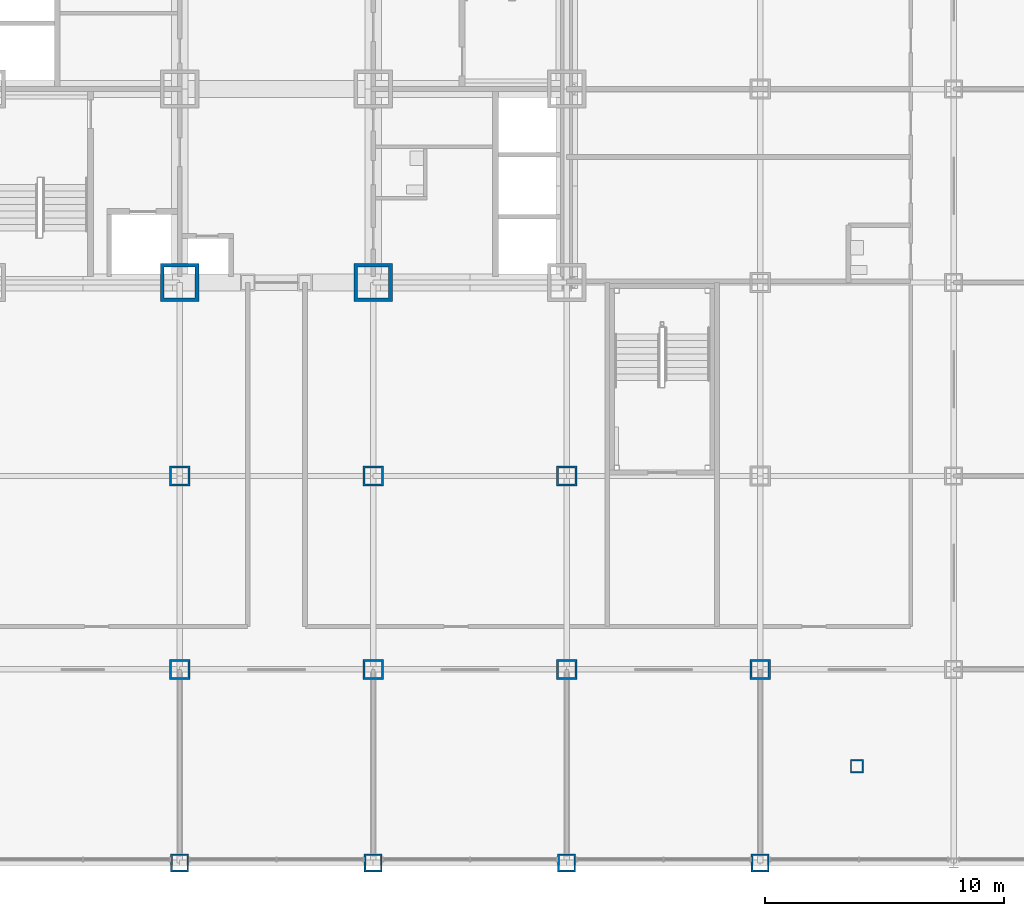
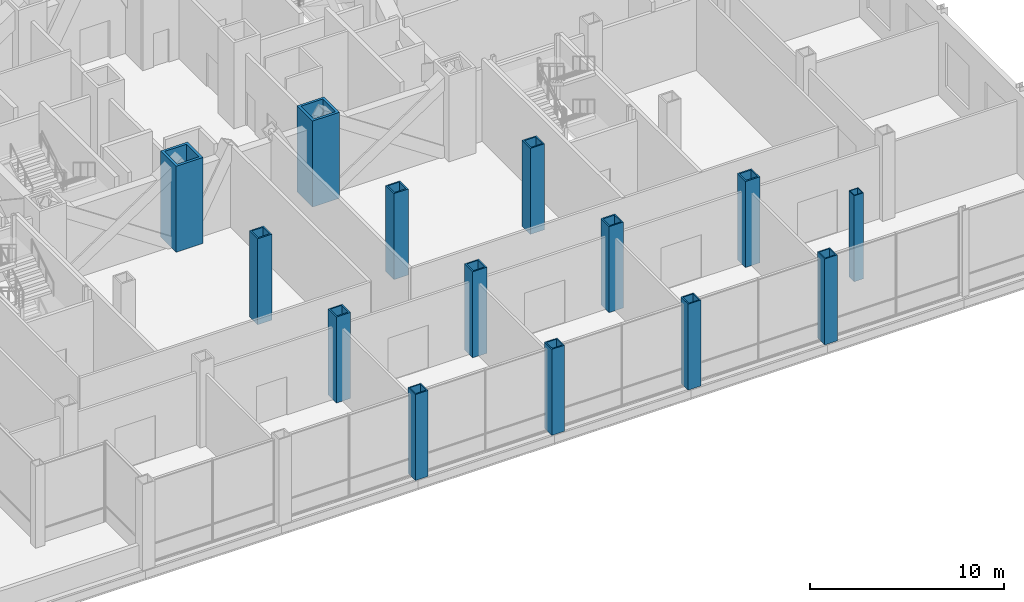
# One storey, part 3 of 26: 14 columns.
"""IFC4 building model written with IfcOpenShell, lengths in metres."""

import ifcopenshell
import ifcopenshell.guid

model = None  # the IFC model being written
_history = None  # IfcOwnerHistory: only IFC2X3 demands one
_inside = {}  # id of a spatial element -> (the spatial element, [elements in it])
_under = {}  # id of a project, library or spatial element -> (it, [spatial elements below it])
_declared = {}  # id of a project -> (the project, [libraries it declares])
_typed = {}  # id of a type object -> (the type object, [elements of that type])
_made_of = {}  # id of a material, layer set ... -> (it, [elements and type objects made of it])


def new_model(schema):
    """Start an empty IFC model of exactly this schema.

    Asked for "IFC4X3", IfcOpenShell would pick the latest addendum, in which some entities
    have other attributes; the version numbers below select the first issue.
    IFC2X3 requires an IfcOwnerHistory on every rooted entity: one is made here for all.
    """
    global model, _history
    if schema == "IFC4X3":
        model = ifcopenshell.file(schema_version=(4, 3, 0, 0))
    else:
        model = ifcopenshell.file(schema=schema)
    _inside.clear()
    _under.clear()
    _declared.clear()
    _typed.clear()
    _made_of.clear()
    _history = None
    if model.schema == "IFC2X3":
        org = make("IfcOrganization", Name="unknown")
        user = make(
            "IfcPersonAndOrganization",
            ThePerson=make("IfcPerson", FamilyName="unknown"),
            TheOrganization=org,
        )
        app = make(
            "IfcApplication",
            ApplicationDeveloper=org,
            Version="unknown",
            ApplicationFullName="unknown",
            ApplicationIdentifier="unknown",
        )
        _history = make(
            "IfcOwnerHistory",
            OwningUser=user,
            OwningApplication=app,
            ChangeAction="ADDED",
            CreationDate=0,
        )
    return model


def make(cls, **values):
    """One entity of the class cls with the attributes given. An attribute that is None is left unset."""
    return model.create_entity(
        cls, **{name: value for name, value in values.items() if value is not None}
    )


def rooted(cls, **values):
    """An entity with a GlobalId (a new one), such as an element, a storey or a relation."""
    return make(cls, GlobalId=ifcopenshell.guid.new(), OwnerHistory=_history, **values)


def si_unit(unit_type, name, prefix=None):
    """IfcSIUnit, for example si_unit("LENGTHUNIT", "METRE", prefix="MILLI")."""
    return make("IfcSIUnit", UnitType=unit_type, Prefix=prefix, Name=name)


def assignment(units):
    """IfcUnitAssignment: the units of a project."""
    return None if units is None else make("IfcUnitAssignment", Units=units)


def point(xyz):
    """IfcCartesianPoint."""
    return None if xyz is None else make("IfcCartesianPoint", Coordinates=xyz)


def direction(xyz):
    """IfcDirection."""
    return None if xyz is None else make("IfcDirection", DirectionRatios=xyz)


def frame(location, z_axis=None, x_axis=None):
    """IfcAxis2Placement3D, a coordinate frame: its origin and axes. An axis left out is left unset."""
    return make(
        "IfcAxis2Placement3D",
        Location=point(location),
        Axis=direction(z_axis),
        RefDirection=direction(x_axis),
    )


def frame_2d(location, x_axis=None):
    """IfcAxis2Placement2D, a coordinate frame in the plane: its origin and x axis."""
    return make(
        "IfcAxis2Placement2D", Location=point(location), RefDirection=direction(x_axis)
    )


def origin():
    """The frame at (0, 0, 0) with its axes left unset."""
    return frame((0.0, 0.0, 0.0))


def origin_2d():
    """The frame at (0, 0) in the plane with its x axis left unset."""
    return frame_2d((0.0, 0.0))


def place(relative_to, where):
    """IfcLocalPlacement: puts the frame where relative to a parent placement (None: the world)."""
    return make(
        "IfcLocalPlacement", PlacementRelTo=relative_to, RelativePlacement=where
    )


def context(
    kind, dimensions, precision=None, world=None, true_north=None, identifier=None
):
    """IfcGeometricRepresentationContext, for example the 3D "Model" context."""
    return make(
        "IfcGeometricRepresentationContext",
        ContextIdentifier=identifier,
        ContextType=kind,
        CoordinateSpaceDimension=dimensions,
        Precision=precision,
        WorldCoordinateSystem=world,
        TrueNorth=true_north,
    )


def subcontext(parent, identifier, kind, view, scale=None):
    """IfcGeometricRepresentationSubContext, for example "Body" below "Model"."""
    return make(
        "IfcGeometricRepresentationSubContext",
        ContextIdentifier=identifier,
        ContextType=kind,
        ParentContext=parent,
        TargetScale=scale,
        TargetView=view,
    )


def project(units=None, contexts=None):
    """IfcProject with its units and contexts."""
    return rooted(
        "IfcProject",
        Name="project",
        RepresentationContexts=contexts,
        UnitsInContext=assignment(units),
    )


def spatial(cls, under=None, at=None, **own):
    """A site, building, storey or space (cls), placed at a placement, below another one or the project."""
    s = rooted(cls, ObjectPlacement=at, **own)
    if under is not None:
        _under.setdefault(under.id(), (under, []))[1].append(s)
    return s


def profile(cls, at=None, kind="AREA", **sizes):
    """A parametric profile (cls). Its sizes go by their IFC names, for example OverallWidth=200.0."""
    return make(cls, ProfileType=kind, Position=at, **sizes)


def hollow_rectangle(**sizes):
    """IfcRectangleHollowProfileDef."""
    return profile("IfcRectangleHollowProfileDef", **sizes)


def extrude(swept, where, along, depth):
    """IfcExtrudedAreaSolid: the profile swept, set in the frame where, extruded along a direction by depth."""
    return make(
        "IfcExtrudedAreaSolid",
        SweptArea=swept,
        Position=where,
        ExtrudedDirection=direction(along),
        Depth=depth,
    )


def shape(context_of_items, identifier, shape_type, items):
    """IfcShapeRepresentation: the items that make up one representation, for example the "Body"."""
    return make(
        "IfcShapeRepresentation",
        ContextOfItems=context_of_items,
        RepresentationIdentifier=identifier,
        RepresentationType=shape_type,
        Items=items,
    )


def material(Name=None, Category=None):
    """IfcMaterial."""
    return make("IfcMaterial", Name=Name, Category=Category)


def material_profile(
    of_material, cross_section, Name=None, Category=None, Priority=None
):
    """IfcMaterialProfile: a cross section and its material."""
    return make(
        "IfcMaterialProfile",
        Name=Name,
        Material=of_material,
        Profile=cross_section,
        Priority=Priority,
        Category=Category,
    )


def profile_set(profiles, Name=None, composite=None):
    """IfcMaterialProfileSet."""
    return make(
        "IfcMaterialProfileSet",
        Name=Name,
        MaterialProfiles=profiles,
        CompositeProfile=composite,
    )


def made_of(thing, what):
    """Note that an element or type object is made of a material, layer set ...; save() writes the relation."""
    if what is not None:
        _made_of.setdefault(what.id(), (what, []))[1].append(thing)
    return thing


def type_object(cls, material=None, **own):
    """A type object (cls), such as IfcWallType, which elements share."""
    return made_of(rooted(cls, **own), material)


def element(
    cls,
    number,
    at=None,
    inside=None,
    cuts=None,
    type_object=None,
    material=None,
    context=None,
    identifier="Body",
    shape_type=None,
    held_by="IfcProductDefinitionShape",
    body=None,
    shapes=None,
    **own,
):
    """One element of the class cls, such as IfcWall. Its Tag is "e" and its number.

    at: its placement. inside: the storey or other place that contains it. cuts: it is an
    opening in that element (IfcRelVoidsElement). A single representation is given by context,
    identifier, shape_type and body (its items); several are given by shapes. held_by: the class
    of the entity that holds the representations. save() writes the other relations.
    """
    e = rooted(cls, Tag="e%d" % number, ObjectPlacement=at, **own)
    if body is not None:
        shapes = [shape(context, identifier, shape_type, body)]
    if shapes is not None:
        e.Representation = make(held_by, Representations=shapes)
    if inside is not None:
        _inside.setdefault(inside.id(), (inside, []))[1].append(e)
    if cuts is not None:
        rooted(
            "IfcRelVoidsElement", RelatingBuildingElement=cuts, RelatedOpeningElement=e
        )
    if type_object is not None:
        _typed.setdefault(type_object.id(), (type_object, []))[1].append(e)
    return made_of(e, material)


def aggregate(whole, parts):
    """IfcRelAggregates: a whole, such as a stair, and the parts it consists of."""
    return rooted("IfcRelAggregates", RelatingObject=whole, RelatedObjects=parts)


def save(model, path):
    """Write the relations noted so far, then the file.

    IfcRelAggregates (storeys below a building ...), IfcRelContainedInSpatialStructure (elements
    in a storey), IfcRelDefinesByType, IfcRelAssociatesMaterial and IfcRelDeclares: one each for
    every whole, place, type object, material and project.
    """
    for whole, parts in _under.values():
        aggregate(whole, parts)
    for where, things in _inside.values():
        rooted(
            "IfcRelContainedInSpatialStructure",
            RelatedElements=things,
            RelatingStructure=where,
        )
    for kind, things in _typed.values():
        rooted("IfcRelDefinesByType", RelatedObjects=things, RelatingType=kind)
    for what, things in _made_of.values():
        rooted("IfcRelAssociatesMaterial", RelatedObjects=things, RelatingMaterial=what)
    for by, libraries in _declared.values():
        rooted("IfcRelDeclares", RelatingContext=by, RelatedDefinitions=libraries)
    model.write(path)


model = new_model("IFC4")

# Units and contexts
model_context = context("Model", 3, precision=1e-05, world=origin(), true_north=direction((0.0, 1.0)))
body_context = subcontext(model_context, "Body", "Model", "MODEL_VIEW")
ifc_project = project(units=[si_unit("LENGTHUNIT", "METRE"), si_unit("AREAUNIT", "SQUARE_METRE"), si_unit("VOLUMEUNIT", "CUBIC_METRE"), si_unit("PLANEANGLEUNIT", "RADIAN"), si_unit("MASSUNIT", "GRAM", prefix="KILO")], contexts=[model_context])

# Site, building, storey
site_placement = place(None, origin())
site = spatial("IfcSite", under=ifc_project, at=site_placement, CompositionType="ELEMENT")
building_placement = place(site_placement, origin())
building = spatial("IfcBuilding", under=site, at=building_placement, Name="Kopane Lantern Tower", CompositionType="ELEMENT")
storey_placement = place(building_placement, frame((0.0, 0.0, 16.800048828125)))
storey = spatial("IfcBuildingStorey", under=building, at=storey_placement, Name="L03", CompositionType="ELEMENT", Elevation=16.800048828125)

# Columns
ifc_material_1 = material(Name="Steel S355JR", Category="steel")
ifc_material_profile_1 = material_profile(ifc_material_1, hollow_rectangle(XDim=1.60009765625, YDim=1.60009765625, WallThickness=0.14990234375, at=origin_2d()), Name="BOX 1600x1600x150")
ifc_profile_set_1 = profile_set([ifc_material_profile_1], Name="Steel S355JR")
column_type_1 = type_object("IfcColumnType", Name="COLUMN BOX 1600x1600x150", PredefinedType="COLUMN", material=ifc_profile_set_1)
for number, where, z_axis, x_axis, name in (
    (1, (24.300048828125, 24.300048828125, 0.0), (0.0, 0.0, 1.0), (1.0, 0.0, 0.0), "Column 5/E L03"),
    (2, (32.39990234375, 24.300048828125, 0.0), (0.0, 0.0, 1.0), (1.0, 0.0, 0.0), "Column 6/E L03"),
):
    element("IfcColumn", number, at=place(storey_placement, frame(where, z_axis=z_axis, x_axis=x_axis)), inside=storey, type_object=column_type_1, Name=name, PredefinedType="COLUMN", context=body_context, shape_type="SweptSolid", body=[
        extrude(hollow_rectangle(XDim=1.60009765625, YDim=1.60009765625, WallThickness=0.14990234375, at=origin_2d()), origin(), (0.0, 0.0, 1.0), 5.39990234375),
    ])
ifc_material_2 = material(Name="Steel S355JR", Category="steel")
ifc_material_profile_2 = material_profile(ifc_material_2, hollow_rectangle(XDim=0.550048828125, YDim=0.550048828125, WallThickness=0.050048828125, at=origin_2d()), Name="BOX 550x550x50")
ifc_profile_set_2 = profile_set([ifc_material_profile_2], Name="Steel S355JR")
column_type_2 = type_object("IfcColumnType", Name="COLUMN BOX 550x550x50", PredefinedType="COLUMN", material=ifc_profile_set_2)
column_placement = place(storey_placement, frame((52.64990234375, 4.050048828125, 0.0), z_axis=(0.0, 0.0, 1.0), x_axis=(1.0, 0.0, 0.0)))
element("IfcColumn", 3, at=column_placement, inside=storey, type_object=column_type_2, Name="Column 52.65/4.05 L03", PredefinedType="COLUMN", context=body_context, shape_type="SweptSolid", body=[
    extrude(hollow_rectangle(XDim=0.550048828125, YDim=0.550048828125, WallThickness=0.050048828125, at=origin_2d()), origin(), (0.0, 0.0, 1.0), 5.39990234375),
])
ifc_material_3 = material(Name="Steel S355JR", Category="steel")
ifc_material_profile_3 = material_profile(ifc_material_3, hollow_rectangle(XDim=0.75, YDim=0.75, WallThickness=0.070068359375, at=origin_2d()), Name="BOX 750x750x70")
ifc_profile_set_3 = profile_set([ifc_material_profile_3], Name="Steel S355JR")
column_type_3 = type_object("IfcColumnType", Name="COLUMN BOX 750x750x70", PredefinedType="COLUMN", material=ifc_profile_set_3)
for number, where, z_axis, x_axis, name in (
    (4, (24.300048828125, 0.0, 0.0), (0.0, 0.0, 1.0), (1.0, 0.0, 0.0), "Column 5/B L03"),
    (5, (32.39990234375, 0.0, 0.0), (0.0, 0.0, 1.0), (1.0, 0.0, 0.0), "Column 6/B L03"),
    (6, (40.5, 0.0, 0.0), (0.0, 0.0, 1.0), (1.0, 0.0, 0.0), "Column 7/B L03"),
    (7, (48.60009765625, 0.0, 0.0), (0.0, 0.0, 1.0), (1.0, 0.0, 0.0), "Column 8/B L03"),
):
    element("IfcColumn", number, at=place(storey_placement, frame(where, z_axis=z_axis, x_axis=x_axis)), inside=storey, type_object=column_type_3, Name=name, PredefinedType="COLUMN", context=body_context, shape_type="SweptSolid", body=[
        extrude(hollow_rectangle(XDim=0.75, YDim=0.75, WallThickness=0.070068359375, at=origin_2d()), origin(), (0.0, 0.0, 1.0), 5.39990234375),
    ])
ifc_material_4 = material(Name="Steel S355JR", Category="steel")
ifc_material_profile_4 = material_profile(ifc_material_4, hollow_rectangle(XDim=0.85009765625, YDim=0.85009765625, WallThickness=0.0849609375, at=origin_2d()), Name="BOX 850x850x85")
ifc_profile_set_4 = profile_set([ifc_material_profile_4], Name="Steel S355JR")
column_type_4 = type_object("IfcColumnType", Name="COLUMN BOX 850x850x85", PredefinedType="COLUMN", material=ifc_profile_set_4)
for number, where, z_axis, x_axis, name in (
    (8, (24.300048828125, 8.10009765625, 0.0), (0.0, 0.0, 1.0), (1.0, 0.0, 0.0), "Column 5/C L03"),
    (9, (24.300048828125, 16.199951171875, 0.0), (0.0, 0.0, 1.0), (1.0, 0.0, 0.0), "Column 5/D L03"),
    (10, (32.39990234375, 8.10009765625, 0.0), (0.0, 0.0, 1.0), (1.0, 0.0, 0.0), "Column 6/C L03"),
    (11, (32.39990234375, 16.199951171875, 0.0), (0.0, 0.0, 1.0), (1.0, 0.0, 0.0), "Column 6/D L03"),
    (12, (40.5, 8.10009765625, 0.0), (0.0, 0.0, 1.0), (1.0, 0.0, 0.0), "Column 7/C L03"),
    (13, (40.5, 16.199951171875, 0.0), (0.0, 0.0, 1.0), (1.0, 0.0, 0.0), "Column 7/D L03"),
    (14, (48.60009765625, 8.10009765625, 0.0), (0.0, 0.0, 1.0), (1.0, 0.0, 0.0), "Column 8/C L03"),
):
    element("IfcColumn", number, at=place(storey_placement, frame(where, z_axis=z_axis, x_axis=x_axis)), inside=storey, type_object=column_type_4, Name=name, PredefinedType="COLUMN", context=body_context, shape_type="SweptSolid", body=[
        extrude(hollow_rectangle(XDim=0.85009765625, YDim=0.85009765625, WallThickness=0.0849609375, at=origin_2d()), origin(), (0.0, 0.0, 1.0), 5.39990234375),
    ])

save(model, "model.ifc")
